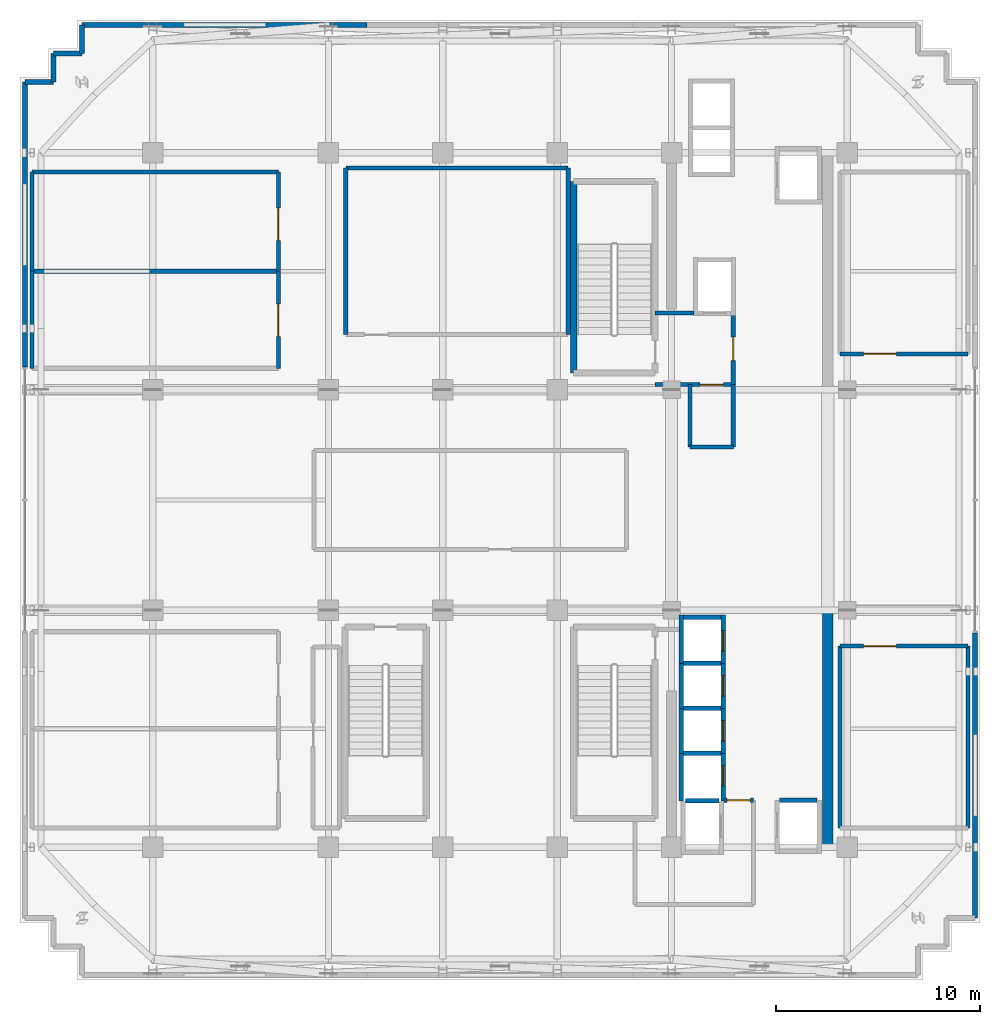
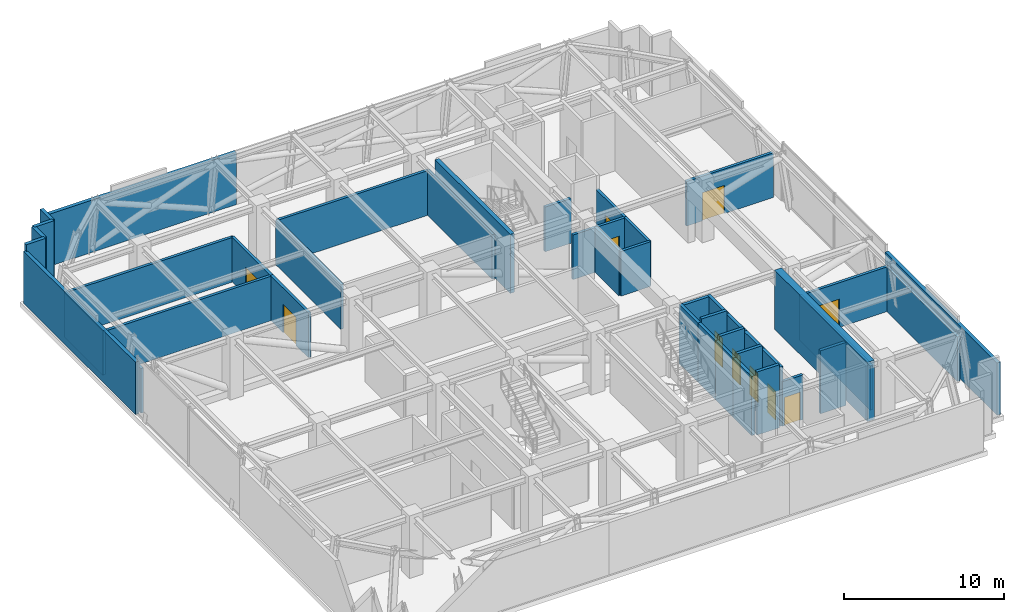
# One storey, part 10 of 15: 43 walls, 11 doors, 11 openings.
"""IFC4 building model written with IfcOpenShell, lengths in metres."""

import ifcopenshell
import ifcopenshell.guid

model = None  # the IFC model being written
_history = None  # IfcOwnerHistory: only IFC2X3 demands one
_inside = {}  # id of a spatial element -> (the spatial element, [elements in it])
_under = {}  # id of a project, library or spatial element -> (it, [spatial elements below it])
_declared = {}  # id of a project -> (the project, [libraries it declares])
_typed = {}  # id of a type object -> (the type object, [elements of that type])
_made_of = {}  # id of a material, layer set ... -> (it, [elements and type objects made of it])


def new_model(schema):
    """Start an empty IFC model of exactly this schema.

    Asked for "IFC4X3", IfcOpenShell would pick the latest addendum, in which some entities
    have other attributes; the version numbers below select the first issue.
    IFC2X3 requires an IfcOwnerHistory on every rooted entity: one is made here for all.
    """
    global model, _history
    if schema == "IFC4X3":
        model = ifcopenshell.file(schema_version=(4, 3, 0, 0))
    else:
        model = ifcopenshell.file(schema=schema)
    _inside.clear()
    _under.clear()
    _declared.clear()
    _typed.clear()
    _made_of.clear()
    _history = None
    if model.schema == "IFC2X3":
        org = make("IfcOrganization", Name="unknown")
        user = make(
            "IfcPersonAndOrganization",
            ThePerson=make("IfcPerson", FamilyName="unknown"),
            TheOrganization=org,
        )
        app = make(
            "IfcApplication",
            ApplicationDeveloper=org,
            Version="unknown",
            ApplicationFullName="unknown",
            ApplicationIdentifier="unknown",
        )
        _history = make(
            "IfcOwnerHistory",
            OwningUser=user,
            OwningApplication=app,
            ChangeAction="ADDED",
            CreationDate=0,
        )
    return model


def make(cls, **values):
    """One entity of the class cls with the attributes given. An attribute that is None is left unset."""
    return model.create_entity(
        cls, **{name: value for name, value in values.items() if value is not None}
    )


def rooted(cls, **values):
    """An entity with a GlobalId (a new one), such as an element, a storey or a relation."""
    return make(cls, GlobalId=ifcopenshell.guid.new(), OwnerHistory=_history, **values)


def si_unit(unit_type, name, prefix=None):
    """IfcSIUnit, for example si_unit("LENGTHUNIT", "METRE", prefix="MILLI")."""
    return make("IfcSIUnit", UnitType=unit_type, Prefix=prefix, Name=name)


def assignment(units):
    """IfcUnitAssignment: the units of a project."""
    return None if units is None else make("IfcUnitAssignment", Units=units)


def point(xyz):
    """IfcCartesianPoint."""
    return None if xyz is None else make("IfcCartesianPoint", Coordinates=xyz)


def direction(xyz):
    """IfcDirection."""
    return None if xyz is None else make("IfcDirection", DirectionRatios=xyz)


def frame(location, z_axis=None, x_axis=None):
    """IfcAxis2Placement3D, a coordinate frame: its origin and axes. An axis left out is left unset."""
    return make(
        "IfcAxis2Placement3D",
        Location=point(location),
        Axis=direction(z_axis),
        RefDirection=direction(x_axis),
    )


def frame_2d(location, x_axis=None):
    """IfcAxis2Placement2D, a coordinate frame in the plane: its origin and x axis."""
    return make(
        "IfcAxis2Placement2D", Location=point(location), RefDirection=direction(x_axis)
    )


def origin():
    """The frame at (0, 0, 0) with its axes left unset."""
    return frame((0.0, 0.0, 0.0))


def place(relative_to, where):
    """IfcLocalPlacement: puts the frame where relative to a parent placement (None: the world)."""
    return make(
        "IfcLocalPlacement", PlacementRelTo=relative_to, RelativePlacement=where
    )


def context(
    kind, dimensions, precision=None, world=None, true_north=None, identifier=None
):
    """IfcGeometricRepresentationContext, for example the 3D "Model" context."""
    return make(
        "IfcGeometricRepresentationContext",
        ContextIdentifier=identifier,
        ContextType=kind,
        CoordinateSpaceDimension=dimensions,
        Precision=precision,
        WorldCoordinateSystem=world,
        TrueNorth=true_north,
    )


def subcontext(parent, identifier, kind, view, scale=None):
    """IfcGeometricRepresentationSubContext, for example "Body" below "Model"."""
    return make(
        "IfcGeometricRepresentationSubContext",
        ContextIdentifier=identifier,
        ContextType=kind,
        ParentContext=parent,
        TargetScale=scale,
        TargetView=view,
    )


def project(units=None, contexts=None):
    """IfcProject with its units and contexts."""
    return rooted(
        "IfcProject",
        Name="project",
        RepresentationContexts=contexts,
        UnitsInContext=assignment(units),
    )


def spatial(cls, under=None, at=None, **own):
    """A site, building, storey or space (cls), placed at a placement, below another one or the project."""
    s = rooted(cls, ObjectPlacement=at, **own)
    if under is not None:
        _under.setdefault(under.id(), (under, []))[1].append(s)
    return s


def profile(cls, at=None, kind="AREA", **sizes):
    """A parametric profile (cls). Its sizes go by their IFC names, for example OverallWidth=200.0."""
    return make(cls, ProfileType=kind, Position=at, **sizes)


def rectangle(**sizes):
    """IfcRectangleProfileDef."""
    return profile("IfcRectangleProfileDef", **sizes)


def extrude(swept, where, along, depth):
    """IfcExtrudedAreaSolid: the profile swept, set in the frame where, extruded along a direction by depth."""
    return make(
        "IfcExtrudedAreaSolid",
        SweptArea=swept,
        Position=where,
        ExtrudedDirection=direction(along),
        Depth=depth,
    )


def shape(context_of_items, identifier, shape_type, items):
    """IfcShapeRepresentation: the items that make up one representation, for example the "Body"."""
    return make(
        "IfcShapeRepresentation",
        ContextOfItems=context_of_items,
        RepresentationIdentifier=identifier,
        RepresentationType=shape_type,
        Items=items,
    )


def source(mapping_origin, context_of_items, identifier, shape_type, items):
    """IfcRepresentationMap: a shape defined once, which mapped items show again and again."""
    return make(
        "IfcRepresentationMap",
        MappingOrigin=mapping_origin,
        MappedRepresentation=shape(context_of_items, identifier, shape_type, items),
    )


def transform(
    local_origin,
    x_axis=None,
    y_axis=None,
    z_axis=None,
    scale=None,
    scale2=None,
    scale3=None,
    uniform=True,
):
    """IfcCartesianTransformationOperator3D, or its non-uniform kind. x_axis, y_axis, z_axis: its Axis1, 2, 3."""
    if uniform:
        return make(
            "IfcCartesianTransformationOperator3D",
            Axis1=direction(x_axis),
            Axis2=direction(y_axis),
            LocalOrigin=point(local_origin),
            Scale=scale,
            Axis3=direction(z_axis),
        )
    return make(
        "IfcCartesianTransformationOperator3DnonUniform",
        Axis1=direction(x_axis),
        Axis2=direction(y_axis),
        LocalOrigin=point(local_origin),
        Scale=scale,
        Axis3=direction(z_axis),
        Scale2=scale2,
        Scale3=scale3,
    )


def mapped(mapping_source, mapping_target):
    """IfcMappedItem: shows the shape of a source again, moved by a transform."""
    return make(
        "IfcMappedItem", MappingSource=mapping_source, MappingTarget=mapping_target
    )


def material(Name=None, Category=None):
    """IfcMaterial."""
    return make("IfcMaterial", Name=Name, Category=Category)


def layer(
    of_material, thickness, ventilated=None, Name=None, Category=None, Priority=None
):
    """IfcMaterialLayer: one layer of a wall or slab, of a material (None: an air gap)."""
    return make(
        "IfcMaterialLayer",
        Material=of_material,
        LayerThickness=thickness,
        IsVentilated=ventilated,
        Name=Name,
        Category=Category,
        Priority=Priority,
    )


def layer_set(layers, Name=None):
    """IfcMaterialLayerSet."""
    return make("IfcMaterialLayerSet", MaterialLayers=layers, LayerSetName=Name)


def made_of(thing, what):
    """Note that an element or type object is made of a material, layer set ...; save() writes the relation."""
    if what is not None:
        _made_of.setdefault(what.id(), (what, []))[1].append(thing)
    return thing


def type_object(cls, material=None, **own):
    """A type object (cls), such as IfcWallType, which elements share."""
    return made_of(rooted(cls, **own), material)


def element(
    cls,
    number,
    at=None,
    inside=None,
    cuts=None,
    type_object=None,
    material=None,
    context=None,
    identifier="Body",
    shape_type=None,
    held_by="IfcProductDefinitionShape",
    body=None,
    shapes=None,
    **own,
):
    """One element of the class cls, such as IfcWall. Its Tag is "e" and its number.

    at: its placement. inside: the storey or other place that contains it. cuts: it is an
    opening in that element (IfcRelVoidsElement). A single representation is given by context,
    identifier, shape_type and body (its items); several are given by shapes. held_by: the class
    of the entity that holds the representations. save() writes the other relations.
    """
    e = rooted(cls, Tag="e%d" % number, ObjectPlacement=at, **own)
    if body is not None:
        shapes = [shape(context, identifier, shape_type, body)]
    if shapes is not None:
        e.Representation = make(held_by, Representations=shapes)
    if inside is not None:
        _inside.setdefault(inside.id(), (inside, []))[1].append(e)
    if cuts is not None:
        rooted(
            "IfcRelVoidsElement", RelatingBuildingElement=cuts, RelatedOpeningElement=e
        )
    if type_object is not None:
        _typed.setdefault(type_object.id(), (type_object, []))[1].append(e)
    return made_of(e, material)


def fill(opening, filler):
    """IfcRelFillsElement: the door or window that sits in an opening."""
    return rooted(
        "IfcRelFillsElement",
        RelatingOpeningElement=opening,
        RelatedBuildingElement=filler,
    )


def aggregate(whole, parts):
    """IfcRelAggregates: a whole, such as a stair, and the parts it consists of."""
    return rooted("IfcRelAggregates", RelatingObject=whole, RelatedObjects=parts)


def save(model, path):
    """Write the relations noted so far, then the file.

    IfcRelAggregates (storeys below a building ...), IfcRelContainedInSpatialStructure (elements
    in a storey), IfcRelDefinesByType, IfcRelAssociatesMaterial and IfcRelDeclares: one each for
    every whole, place, type object, material and project.
    """
    for whole, parts in _under.values():
        aggregate(whole, parts)
    for where, things in _inside.values():
        rooted(
            "IfcRelContainedInSpatialStructure",
            RelatedElements=things,
            RelatingStructure=where,
        )
    for kind, things in _typed.values():
        rooted("IfcRelDefinesByType", RelatedObjects=things, RelatingType=kind)
    for what, things in _made_of.values():
        rooted("IfcRelAssociatesMaterial", RelatedObjects=things, RelatingMaterial=what)
    for by, libraries in _declared.values():
        rooted("IfcRelDeclares", RelatingContext=by, RelatedDefinitions=libraries)
    model.write(path)


model = new_model("IFC4")

# Units and contexts
model_context = context("Model", 3, precision=1e-05, world=origin(), true_north=direction((0.0, 1.0)))
body_context = subcontext(model_context, "Body", "Model", "MODEL_VIEW")
ifc_project = project(units=[si_unit("LENGTHUNIT", "METRE"), si_unit("AREAUNIT", "SQUARE_METRE"), si_unit("VOLUMEUNIT", "CUBIC_METRE"), si_unit("PLANEANGLEUNIT", "RADIAN"), si_unit("MASSUNIT", "GRAM", prefix="KILO")], contexts=[model_context])

# Site, building, storey
site_placement = place(None, origin())
site = spatial("IfcSite", under=ifc_project, at=site_placement, CompositionType="ELEMENT")
building_placement = place(site_placement, origin())
building = spatial("IfcBuilding", under=site, at=building_placement, Name="Nahalor Promenade Grand Hotel", CompositionType="ELEMENT")
storey_placement = place(building_placement, frame((0.0, 0.0, 261.5)))
storey = spatial("IfcBuildingStorey", under=building, at=storey_placement, Name="L67", CompositionType="ELEMENT", Elevation=261.5)

# Walls
ifc_material_1 = material(Name="Concrete B-60 (C50/60)", Category="concrete")
ifc_layer_1 = layer(ifc_material_1, 0.5)
ifc_layer_set_1 = layer_set([ifc_layer_1], Name="Concrete B-60 (C50/60)")
wall_type_1 = type_object("IfcWallType", Name="Wall-CoreShear-500", PredefinedType="SHEAR", material=ifc_layer_set_1)
shared_shape_1 = source(origin(), body_context, "Body", "SweptSolid", [
    extrude(rectangle(XDim=11.60009765625, YDim=0.5, at=frame_2d((5.800048828125, 0.0))), origin(), (0.0, 0.0, 1.0), 4.5),
])
wall_1_placement = place(storey_placement, frame((16.050048828125, -17.0, 0.0), z_axis=(0.0, 0.0, 1.0), x_axis=(0.0, 1.0, 0.0)))
element("IfcWall", 1, at=wall_1_placement, inside=storey, type_object=wall_type_1, Name="CWALL-L67-SE", PredefinedType="SHEAR", context=body_context, shape_type="MappedRepresentation", body=[
    mapped(shared_shape_1, transform((0.0, 0.0, 0.0), scale=1.0)),
])
ifc_material_2 = material(Name="Concrete B-50 (C40/50)", Category="concrete")
ifc_layer_2 = layer(ifc_material_2, 0.300048828125)
ifc_layer_set_2 = layer_set([ifc_layer_2], Name="Concrete B-50 (C40/50)")
wall_type_2 = type_object("IfcWallType", Name="Wall-ShaftShear-300", PredefinedType="SHEAR", material=ifc_layer_set_2)
shared_shape_2 = source(origin(), body_context, "Body", "SweptSolid", [
    extrude(rectangle(XDim=9.380126953125, YDim=0.300048828125, at=frame_2d((4.68994140625, 0.0))), origin(), (0.0, 0.0, 1.0), 4.5),
])
wall_2_placement = place(storey_placement, frame((3.610107421875, 6.2099609375, 0.0), z_axis=(0.0, 0.0, 1.0), x_axis=(0.0, 1.0, 0.0)))
element("IfcWall", 2, at=wall_2_placement, inside=storey, type_object=wall_type_2, Name="L67 Exit Stair ST1 Shaft Wall W", PredefinedType="SHEAR", context=body_context, shape_type="MappedRepresentation", body=[
    mapped(shared_shape_2, transform((0.0, 0.0, 0.0), scale=1.0)),
])
ifc_layer_3 = layer(ifc_material_2, 0.219970703125)
ifc_layer_set_3 = layer_set([ifc_layer_3], Name="Concrete B-50 (C40/50)")
wall_type_3 = type_object("IfcWallType", Name="Wall-LiftShaft-220", PredefinedType="SHEAR", material=ifc_layer_set_3)
shared_shape_3 = source(origin(), body_context, "Body", "SweptSolid", [
    extrude(rectangle(XDim=1.820068359375, YDim=0.219970703125, at=frame_2d((0.91015625, 0.0))), origin(), (0.0, 0.0, 1.0), 4.800048828125),
])
for number, where, z_axis, x_axis, name in (
    (3, (8.989990234375, -8.0, 0.0), (0.0, 0.0, 1.0), (1.0, 0.0, 0.0), "L67 Lift PL10 Hoistway Wall N"),
    (4, (8.989990234375, -10.199951171875, 0.0), (0.0, 0.0, 1.0), (1.0, 0.0, 0.0), "L67 Lift PL11 Hoistway Wall N"),
    (5, (8.989990234375, -12.39990234375, 0.0), (0.0, 0.0, 1.0), (1.0, 0.0, 0.0), "L67 Lift PL12 Hoistway Wall N"),
    (6, (13.68994140625, -14.699951171875, 0.0), (0.0, 0.0, 1.0), (1.0, 0.0, 0.0), "L67 Lift SV2 Hoistway Wall N"),
):
    element("IfcWall", number, at=place(storey_placement, frame(where, z_axis=z_axis, x_axis=x_axis)), inside=storey, type_object=wall_type_3, Name=name, PredefinedType="SHEAR", context=body_context, shape_type="MappedRepresentation", body=[
        mapped(shared_shape_3, transform((0.0, 0.0, 0.0), scale=1.0)),
    ])
shared_shape_4 = source(origin(), body_context, "Body", "SweptSolid", [
    extrude(rectangle(XDim=2.360107421875, YDim=0.219970703125, at=frame_2d((1.18017578125, 0.0))), origin(), (0.0, 0.0, 1.0), 4.5),
])
wall_3_placement = place(storey_placement, frame((8.8798828125, -8.0, 0.0), z_axis=(0.0, 0.0, 1.0), x_axis=(0.0, 1.0, 0.0)))
element("IfcWall", 7, at=wall_3_placement, inside=storey, type_object=wall_type_3, Name="L67 Lift PL9 Hoistway Wall W", PredefinedType="SHEAR", context=body_context, shape_type="MappedRepresentation", body=[
    mapped(shared_shape_4, transform((0.0, 0.0, 0.0), scale=1.0)),
])

# Wall, opening, door
wall_4_placement = place(storey_placement, frame((10.919921875, -8.0, 0.0), z_axis=(0.0, 0.0, 1.0), x_axis=(0.0, 1.0, 0.0)))
wall_4 = element("IfcWall", 8, at=wall_4_placement, inside=storey, type_object=wall_type_3, Name="L67 Lift PL9 Hoistway Wall E", PredefinedType="SHEAR", context=body_context, shape_type="MappedRepresentation", body=[
    mapped(shared_shape_4, transform((0.0, 0.0, 0.0), scale=1.0)),
])
opening_1_placement = place(wall_4_placement, frame((0.60009765625, 0.0, 0.0)))
opening_1 = element("IfcOpeningElement", 9, at=opening_1_placement, cuts=wall_4, Name="Opening LD-01", PredefinedType="OPENING", context=body_context, shape_type="SweptSolid", body=[
    extrude(rectangle(XDim=1.0, YDim=2.199951171875, at=frame_2d((0.5, 1.10009765625))), frame((0.0, 0.119873046875, 0.0), z_axis=(0.0, -1.0, 0.0), x_axis=(1.0, 0.0, 0.0)), (0.0, 0.0, 1.0), 0.239990234375),
])
ifc_material_3 = material(Name="Steel S355JR", Category="steel")
door_type_1 = type_object("IfcDoorType", Name="Door-LiftLanding-1000", OperationType="DOUBLE_DOOR_SLIDING", PredefinedType="DOOR", material=ifc_material_3)
shared_shape_5 = source(origin(), body_context, "Body", "SweptSolid", [
    extrude(rectangle(XDim=1.0, YDim=2.199951171875, at=frame_2d((0.5, 1.10009765625))), frame((0.0, 0.02490234375, 0.0), z_axis=(0.0, -1.0, 0.0), x_axis=(1.0, 0.0, 0.0)), (0.0, 0.0, 1.0), 0.050048828125),
])
door_1_placement = place(opening_1_placement, frame((1.0, 0.0, 0.0), z_axis=(0.0, 0.0, 1.0), x_axis=(-1.0, 0.0, 0.0)))
door_1 = element("IfcDoor", 10, at=door_1_placement, inside=storey, type_object=door_type_1, Name="DR-LIFT-PL9-L67", OperationType="DOUBLE_DOOR_SLIDING", OverallHeight=2.199951171875, OverallWidth=1.0, PredefinedType="DOOR", context=body_context, shape_type="MappedRepresentation", body=[
    mapped(shared_shape_5, transform((0.0, 0.0, 0.0), scale=1.0)),
])
fill(opening_1, door_1)

# Walls
shared_shape_6 = source(origin(), body_context, "Body", "SweptSolid", [
    extrude(rectangle(XDim=1.820068359375, YDim=0.219970703125, at=frame_2d((0.91015625, 0.0))), origin(), (0.0, 0.0, 1.0), 4.5),
])
wall_5_placement = place(storey_placement, frame((8.989990234375, -5.75, 0.0), z_axis=(0.0, 0.0, 1.0), x_axis=(1.0, 0.0, 0.0)))
element("IfcWall", 11, at=wall_5_placement, inside=storey, type_object=wall_type_3, Name="L67 Lift PL9 Hoistway Wall N", PredefinedType="SHEAR", context=body_context, shape_type="MappedRepresentation", body=[
    mapped(shared_shape_6, transform((0.0, 0.0, 0.0), scale=1.0)),
])
shared_shape_7 = source(origin(), body_context, "Body", "SweptSolid", [
    extrude(rectangle(XDim=2.199951171875, YDim=0.219970703125, at=frame_2d((1.10009765625, 0.0))), origin(), (0.0, 0.0, 1.0), 4.5),
])
wall_6_placement = place(storey_placement, frame((8.8798828125, -10.199951171875, 0.0), z_axis=(0.0, 0.0, 1.0), x_axis=(0.0, 1.0, 0.0)))
element("IfcWall", 12, at=wall_6_placement, inside=storey, type_object=wall_type_3, Name="L67 Lift PL10 Hoistway Wall W", PredefinedType="SHEAR", context=body_context, shape_type="MappedRepresentation", body=[
    mapped(shared_shape_7, transform((0.0, 0.0, 0.0), scale=1.0)),
])

# Wall, opening, door
wall_7_placement = place(storey_placement, frame((10.919921875, -10.199951171875, 0.0), z_axis=(0.0, 0.0, 1.0), x_axis=(0.0, 1.0, 0.0)))
wall_7 = element("IfcWall", 13, at=wall_7_placement, inside=storey, type_object=wall_type_3, Name="L67 Lift PL10 Hoistway Wall E", PredefinedType="SHEAR", context=body_context, shape_type="MappedRepresentation", body=[
    mapped(shared_shape_7, transform((0.0, 0.0, 0.0), scale=1.0)),
])
opening_2_placement = place(wall_7_placement, frame((0.60009765625, 0.0, 0.0)))
opening_2 = element("IfcOpeningElement", 14, at=opening_2_placement, cuts=wall_7, Name="Opening LD-01", PredefinedType="OPENING", context=body_context, shape_type="SweptSolid", body=[
    extrude(rectangle(XDim=1.0, YDim=2.199951171875, at=frame_2d((0.5, 1.10009765625))), frame((0.0, 0.119873046875, 0.0), z_axis=(0.0, -1.0, 0.0), x_axis=(1.0, 0.0, 0.0)), (0.0, 0.0, 1.0), 0.239990234375),
])
door_2_placement = place(opening_2_placement, frame((1.0, 0.0, 0.0), z_axis=(0.0, 0.0, 1.0), x_axis=(-1.0, 0.0, 0.0)))
door_2 = element("IfcDoor", 15, at=door_2_placement, inside=storey, type_object=door_type_1, Name="DR-LIFT-PL10-L67", OperationType="DOUBLE_DOOR_SLIDING", OverallHeight=2.199951171875, OverallWidth=1.0, PredefinedType="DOOR", context=body_context, shape_type="MappedRepresentation", body=[
    mapped(shared_shape_5, transform((0.0, 0.0, 0.0), scale=1.0)),
])
fill(opening_2, door_2)

# Wall
wall_8_placement = place(storey_placement, frame((8.8798828125, -12.39990234375, 0.0), z_axis=(0.0, 0.0, 1.0), x_axis=(0.0, 1.0, 0.0)))
element("IfcWall", 16, at=wall_8_placement, inside=storey, type_object=wall_type_3, Name="L67 Lift PL11 Hoistway Wall W", PredefinedType="SHEAR", context=body_context, shape_type="MappedRepresentation", body=[
    mapped(shared_shape_7, transform((0.0, 0.0, 0.0), scale=1.0)),
])

# Wall, opening, door
wall_9_placement = place(storey_placement, frame((10.919921875, -12.39990234375, 0.0), z_axis=(0.0, 0.0, 1.0), x_axis=(0.0, 1.0, 0.0)))
wall_9 = element("IfcWall", 17, at=wall_9_placement, inside=storey, type_object=wall_type_3, Name="L67 Lift PL11 Hoistway Wall E", PredefinedType="SHEAR", context=body_context, shape_type="MappedRepresentation", body=[
    mapped(shared_shape_7, transform((0.0, 0.0, 0.0), scale=1.0)),
])
opening_3_placement = place(wall_9_placement, frame((0.60009765625, 0.0, 0.0)))
opening_3 = element("IfcOpeningElement", 18, at=opening_3_placement, cuts=wall_9, Name="Opening LD-01", PredefinedType="OPENING", context=body_context, shape_type="SweptSolid", body=[
    extrude(rectangle(XDim=1.0, YDim=2.199951171875, at=frame_2d((0.5, 1.10009765625))), frame((0.0, 0.119873046875, 0.0), z_axis=(0.0, -1.0, 0.0), x_axis=(1.0, 0.0, 0.0)), (0.0, 0.0, 1.0), 0.239990234375),
])
door_3_placement = place(opening_3_placement, frame((1.0, 0.0, 0.0), z_axis=(0.0, 0.0, 1.0), x_axis=(-1.0, 0.0, 0.0)))
door_3 = element("IfcDoor", 19, at=door_3_placement, inside=storey, type_object=door_type_1, Name="DR-LIFT-PL11-L67", OperationType="DOUBLE_DOOR_SLIDING", OverallHeight=2.199951171875, OverallWidth=1.0, PredefinedType="DOOR", context=body_context, shape_type="MappedRepresentation", body=[
    mapped(shared_shape_5, transform((0.0, 0.0, 0.0), scale=1.0)),
])
fill(opening_3, door_3)

# Wall
shared_shape_8 = source(origin(), body_context, "Body", "SweptSolid", [
    extrude(rectangle(XDim=2.3251953125, YDim=0.219970703125, at=frame_2d((1.16259765625, 0.0))), origin(), (0.0, 0.0, 1.0), 4.5),
])
wall_10_placement = place(storey_placement, frame((8.8798828125, -14.72509765625, 0.0), z_axis=(0.0, 0.0, 1.0), x_axis=(0.0, 1.0, 0.0)))
element("IfcWall", 20, at=wall_10_placement, inside=storey, type_object=wall_type_3, Name="L67 Lift PL12 Hoistway Wall W", PredefinedType="SHEAR", context=body_context, shape_type="MappedRepresentation", body=[
    mapped(shared_shape_8, transform((0.0, 0.0, 0.0), scale=1.0)),
])

# Wall, opening, door
wall_11_placement = place(storey_placement, frame((10.919921875, -14.72509765625, 0.0), z_axis=(0.0, 0.0, 1.0), x_axis=(0.0, 1.0, 0.0)))
wall_11 = element("IfcWall", 21, at=wall_11_placement, inside=storey, type_object=wall_type_3, Name="L67 Lift PL12 Hoistway Wall E", PredefinedType="SHEAR", context=body_context, shape_type="MappedRepresentation", body=[
    mapped(shared_shape_8, transform((0.0, 0.0, 0.0), scale=1.0)),
])
opening_4_placement = place(wall_11_placement, frame((0.72509765625, 0.0, 0.0)))
opening_4 = element("IfcOpeningElement", 22, at=opening_4_placement, cuts=wall_11, Name="Opening LD-01", PredefinedType="OPENING", context=body_context, shape_type="SweptSolid", body=[
    extrude(rectangle(XDim=1.0, YDim=2.199951171875, at=frame_2d((0.5, 1.10009765625))), frame((0.0, 0.119873046875, 0.0), z_axis=(0.0, -1.0, 0.0), x_axis=(1.0, 0.0, 0.0)), (0.0, 0.0, 1.0), 0.239990234375),
])
door_4_placement = place(opening_4_placement, frame((1.0, 0.0, 0.0), z_axis=(0.0, 0.0, 1.0), x_axis=(-1.0, 0.0, 0.0)))
door_4 = element("IfcDoor", 23, at=door_4_placement, inside=storey, type_object=door_type_1, Name="DR-LIFT-PL12-L67", OperationType="DOUBLE_DOOR_SLIDING", OverallHeight=2.199951171875, OverallWidth=1.0, PredefinedType="DOOR", context=body_context, shape_type="MappedRepresentation", body=[
    mapped(shared_shape_5, transform((0.0, 0.0, 0.0), scale=1.0)),
])
fill(opening_4, door_4)

# Walls
shared_shape_9 = source(origin(), body_context, "Body", "SweptSolid", [
    extrude(rectangle(XDim=1.619873046875, YDim=0.219970703125, at=frame_2d((0.81005859375, 0.0))), origin(), (0.0, 0.0, 1.0), 4.800048828125),
])
wall_12_placement = place(storey_placement, frame((9.090087890625, -14.72509765625, 0.0), z_axis=(0.0, 0.0, 1.0), x_axis=(1.0, 0.0, 0.0)))
element("IfcWall", 24, at=wall_12_placement, inside=storey, type_object=wall_type_3, Name="L67 Lift FL2 Hoistway Wall N", PredefinedType="SHEAR", context=body_context, shape_type="MappedRepresentation", body=[
    mapped(shared_shape_9, transform((0.0, 0.0, 0.0), scale=1.0)),
])
ifc_material_4 = material(Name="Concrete B-40 (C32/40)", Category="concrete")
ifc_layer_4 = layer(ifc_material_4, 0.25)
ifc_layer_set_4 = layer_set([ifc_layer_4], Name="Concrete B-40 (C32/40)")
wall_type_4 = type_object("IfcWallType", Name="Wall-BronzePier-250", PredefinedType="STANDARD", material=ifc_layer_set_4)
shared_shape_10 = source(origin(), body_context, "Body", "SweptSolid", [
    extrude(rectangle(XDim=1.39990234375, YDim=0.25, at=frame_2d((0.699951171875, 0.0))), origin(), (0.0, 0.0, 1.0), 4.5),
])
for number, where, z_axis, x_axis, name in (
    (25, (-20.4599609375, 21.860107421875, 0.0), (0.0, 0.0, 1.0), (0.0, 1.0, 0.0), "W-L67-SR-09"),
    (26, (-23.260009765625, 20.4599609375, 0.0), (0.0, 0.0, 1.0), (1.0, 0.0, 0.0), "W-L67-SR-12"),
):
    element("IfcWall", number, at=place(storey_placement, frame(where, z_axis=z_axis, x_axis=x_axis)), inside=storey, type_object=wall_type_4, Name=name, PredefinedType="STANDARD", context=body_context, shape_type="MappedRepresentation", body=[
        mapped(shared_shape_10, transform((0.0, 0.0, 0.0), scale=1.0)),
    ])
shared_shape_11 = source(origin(), body_context, "Body", "SweptSolid", [
    extrude(rectangle(XDim=1.400146484375, YDim=0.25, at=frame_2d((0.7001953125, 0.0))), origin(), (0.0, 0.0, 1.0), 4.5),
])
for number, where, z_axis, x_axis, name in (
    (27, (-21.860107421875, 21.860107421875, 0.0), (0.0, 0.0, 1.0), (1.0, 0.0, 0.0), "W-L67-SR-10"),
    (28, (-21.860107421875, 20.4599609375, 0.0), (0.0, 0.0, 1.0), (0.0, 1.0, 0.0), "W-L67-SR-11"),
):
    element("IfcWall", number, at=place(storey_placement, frame(where, z_axis=z_axis, x_axis=x_axis)), inside=storey, type_object=wall_type_4, Name=name, PredefinedType="STANDARD", context=body_context, shape_type="MappedRepresentation", body=[
        mapped(shared_shape_11, transform((0.0, 0.0, 0.0), scale=1.0)),
    ])
shared_shape_12 = source(origin(), body_context, "Body", "SweptSolid", [
    extrude(rectangle(XDim=13.9599609375, YDim=0.25, at=frame_2d((6.97998046875, 0.0))), origin(), (0.0, 0.0, 1.0), 3.97998046875),
])
for number, where, z_axis, x_axis, name in (
    (29, (-20.4599609375, 23.260009765625, 0.0), (0.0, 0.0, 1.0), (1.0, 0.0, 0.0), "W-L67-PL-NL"),
    (30, (-23.260009765625, 6.5, 0.0), (0.0, 0.0, 1.0), (0.0, 1.0, 0.0), "W-L67-PL-WR"),
    (31, (23.260009765625, -20.4599609375, 0.0), (0.0, 0.0, 1.0), (0.0, 1.0, 0.0), "W-L67-PL-EL"),
):
    element("IfcWall", number, at=place(storey_placement, frame(where, z_axis=z_axis, x_axis=x_axis)), inside=storey, type_object=wall_type_4, Name=name, PredefinedType="STANDARD", context=body_context, shape_type="MappedRepresentation", body=[
        mapped(shared_shape_12, transform((0.0, 0.0, 0.0), scale=1.0)),
    ])

# Wall, opening, door
ifc_layer_5 = layer(ifc_material_4, 0.199951171875)
ifc_layer_set_5 = layer_set([ifc_layer_5], Name="Concrete B-40 (C32/40)")
wall_type_5 = type_object("IfcWallType", Name="Wall-PartFire-200", PredefinedType="PARTITIONING", material=ifc_layer_set_5)
shared_shape_13 = source(origin(), body_context, "Body", "SweptSolid", [
    extrude(rectangle(XDim=3.81982421875, YDim=0.199951171875, at=frame_2d((1.909912109375, 0.0))), origin(), (0.0, 0.0, 1.0), 3.39990234375),
])
wall_13_placement = place(storey_placement, frame((7.60009765625, 5.64990234375, 0.0), z_axis=(0.0, 0.0, 1.0), x_axis=(1.0, 0.0, 0.0)))
wall_13 = element("IfcWall", 32, at=wall_13_placement, inside=storey, type_object=wall_type_5, Name="W-L67-FF1-S", PredefinedType="PARTITIONING", context=body_context, shape_type="MappedRepresentation", body=[
    mapped(shared_shape_13, transform((0.0, 0.0, 0.0), scale=1.0)),
])
opening_5_placement = place(wall_13_placement, frame((2.18505859375, 0.0, 0.0)))
opening_5 = element("IfcOpeningElement", 33, at=opening_5_placement, cuts=wall_13, Name="Opening D-FF1", PredefinedType="OPENING", context=body_context, shape_type="SweptSolid", body=[
    extrude(rectangle(XDim=1.14990234375, YDim=2.14990234375, at=frame_2d((0.574951171875, 1.074951171875))), frame((0.0, 0.10986328125, 0.0), z_axis=(0.0, -1.0, 0.0), x_axis=(1.0, 0.0, 0.0)), (0.0, 0.0, 1.0), 0.219970703125),
])
door_type_2 = type_object("IfcDoorType", Name="Door-FFLobby-1150", OperationType="NOTDEFINED", PredefinedType="DOOR", material=ifc_material_3)
shared_shape_14 = source(origin(), body_context, "Body", "SweptSolid", [
    extrude(rectangle(XDim=1.14990234375, YDim=2.14990234375, at=frame_2d((0.574951171875, 1.074951171875))), frame((0.0, 0.02490234375, 0.0), z_axis=(0.0, -1.0, 0.0), x_axis=(1.0, 0.0, 0.0)), (0.0, 0.0, 1.0), 0.050048828125),
])
door_5_placement = place(opening_5_placement, frame((1.14990234375, 0.0, 0.0), z_axis=(0.0, 0.0, 1.0), x_axis=(-1.0, 0.0, 0.0)))
door_5 = element("IfcDoor", 34, at=door_5_placement, inside=storey, type_object=door_type_2, Name="DR-L67-REF-FF1", OperationType="SINGLE_SWING_RIGHT", OverallHeight=2.14990234375, OverallWidth=1.14990234375, PredefinedType="DOOR", context=body_context, shape_type="MappedRepresentation", body=[
    mapped(shared_shape_14, transform((0.0, 0.0, 0.0), scale=1.0)),
])
fill(opening_5, door_5)

# Wall
shared_shape_15 = source(origin(), body_context, "Body", "SweptSolid", [
    extrude(rectangle(XDim=1.89990234375, YDim=0.199951171875, at=frame_2d((0.949951171875, 0.0))), origin(), (0.0, 0.0, 1.0), 3.39990234375),
])
wall_14_placement = place(storey_placement, frame((7.60009765625, 9.14990234375, 0.0), z_axis=(0.0, 0.0, 1.0), x_axis=(1.0, 0.0, 0.0)))
element("IfcWall", 35, at=wall_14_placement, inside=storey, type_object=wall_type_5, Name="W-L67-FF1-N", PredefinedType="PARTITIONING", context=body_context, shape_type="MappedRepresentation", body=[
    mapped(shared_shape_15, transform((0.0, 0.0, 0.0), scale=1.0)),
])

# Wall, opening, door
shared_shape_16 = source(origin(), body_context, "Body", "SweptSolid", [
    extrude(rectangle(XDim=3.5, YDim=0.199951171875, at=frame_2d((1.75, 0.0))), origin(), (0.0, 0.0, 1.0), 3.39990234375),
])
wall_15_placement = place(storey_placement, frame((11.419921875, 5.64990234375, 0.0), z_axis=(0.0, 0.0, 1.0), x_axis=(0.0, 1.0, 0.0)))
wall_15 = element("IfcWall", 36, at=wall_15_placement, inside=storey, type_object=wall_type_5, Name="W-L67-FF1-E", PredefinedType="PARTITIONING", context=body_context, shape_type="MappedRepresentation", body=[
    mapped(shared_shape_16, transform((0.0, 0.0, 0.0), scale=1.0)),
])
opening_6_placement = place(wall_15_placement, frame((1.175048828125, 0.0, 0.0)))
opening_6 = element("IfcOpeningElement", 37, at=opening_6_placement, cuts=wall_15, Name="Opening D-FF1", PredefinedType="OPENING", context=body_context, shape_type="SweptSolid", body=[
    extrude(rectangle(XDim=1.14990234375, YDim=2.14990234375, at=frame_2d((0.574951171875, 1.074951171875))), frame((0.0, 0.10986328125, 0.0), z_axis=(0.0, -1.0, 0.0), x_axis=(1.0, 0.0, 0.0)), (0.0, 0.0, 1.0), 0.219970703125),
])
door_6_placement = place(opening_6_placement, frame((1.14990234375, 0.0, 0.0), z_axis=(0.0, 0.0, 1.0), x_axis=(-1.0, 0.0, 0.0)))
door_6 = element("IfcDoor", 38, at=door_6_placement, inside=storey, type_object=door_type_2, Name="DR-L67-FFL1", OperationType="SINGLE_SWING_RIGHT", OverallHeight=2.14990234375, OverallWidth=1.14990234375, PredefinedType="DOOR", context=body_context, shape_type="MappedRepresentation", body=[
    mapped(shared_shape_14, transform((0.0, 0.0, 0.0), scale=1.0)),
])
fill(opening_6, door_6)

shared_shape_17 = source(origin(), body_context, "Body", "SweptSolid", [
    extrude(rectangle(XDim=1.4599609375, YDim=0.199951171875, at=frame_2d((0.72998046875, 0.0))), origin(), (0.0, 0.0, 1.0), 3.39990234375),
])
wall_16_placement = place(storey_placement, frame((10.9599609375, -14.699951171875, 0.0), z_axis=(0.0, 0.0, 1.0), x_axis=(1.0, 0.0, 0.0)))
wall_16 = element("IfcWall", 39, at=wall_16_placement, inside=storey, type_object=wall_type_5, Name="W-L67-FF2-N1", PredefinedType="PARTITIONING", context=body_context, shape_type="MappedRepresentation", body=[
    mapped(shared_shape_17, transform((0.0, 0.0, 0.0), scale=1.0)),
])
opening_7_placement = place(wall_16_placement, frame((0.14501953125, 0.0, 0.0)))
opening_7 = element("IfcOpeningElement", 40, at=opening_7_placement, cuts=wall_16, Name="Opening D-FF1", PredefinedType="OPENING", context=body_context, shape_type="SweptSolid", body=[
    extrude(rectangle(XDim=1.14990234375, YDim=2.14990234375, at=frame_2d((0.574951171875, 1.074951171875))), frame((0.0, 0.10986328125, 0.0), z_axis=(0.0, -1.0, 0.0), x_axis=(1.0, 0.0, 0.0)), (0.0, 0.0, 1.0), 0.219970703125),
])
door_7_placement = place(opening_7_placement, origin())
door_7 = element("IfcDoor", 41, at=door_7_placement, inside=storey, type_object=door_type_2, Name="DR-L67-FFL2", OperationType="SINGLE_SWING_LEFT", OverallHeight=2.14990234375, OverallWidth=1.14990234375, PredefinedType="DOOR", context=body_context, shape_type="MappedRepresentation", body=[
    mapped(shared_shape_14, transform((0.0, 0.0, 0.0), scale=1.0)),
])
fill(opening_7, door_7)

# Walls
shared_shape_18 = source(origin(), body_context, "Body", "SweptSolid", [
    extrude(rectangle(XDim=2.119873046875, YDim=0.199951171875, at=frame_2d((1.06005859375, 0.0))), origin(), (0.0, 0.0, 1.0), 3.39990234375),
])
wall_17_placement = place(storey_placement, frame((9.300048828125, 2.60009765625, 0.0), z_axis=(0.0, 0.0, 1.0), x_axis=(1.0, 0.0, 0.0)))
element("IfcWall", 42, at=wall_17_placement, inside=storey, type_object=wall_type_5, Name="W-L67-REF-S", PredefinedType="PARTITIONING", context=body_context, shape_type="MappedRepresentation", body=[
    mapped(shared_shape_18, transform((0.0, 0.0, 0.0), scale=1.0)),
])
shared_shape_19 = source(origin(), body_context, "Body", "SweptSolid", [
    extrude(rectangle(XDim=3.0498046875, YDim=0.199951171875, at=frame_2d((1.52490234375, 0.0))), origin(), (0.0, 0.0, 1.0), 3.39990234375),
])
for number, where, z_axis, x_axis, name in (
    (43, (9.300048828125, 2.60009765625, 0.0), (0.0, 0.0, 1.0), (0.0, 1.0, 0.0), "W-L67-REF-W"),
    (44, (11.419921875, 2.60009765625, 0.0), (0.0, 0.0, 1.0), (0.0, 1.0, 0.0), "W-L67-REF-E"),
):
    element("IfcWall", number, at=place(storey_placement, frame(where, z_axis=z_axis, x_axis=x_axis)), inside=storey, type_object=wall_type_5, Name=name, PredefinedType="PARTITIONING", context=body_context, shape_type="MappedRepresentation", body=[
        mapped(shared_shape_19, transform((0.0, 0.0, 0.0), scale=1.0)),
    ])
shared_shape_20 = source(origin(), body_context, "Body", "SweptSolid", [
    extrude(rectangle(XDim=10.89013671875, YDim=0.199951171875, at=frame_2d((5.445068359375, 0.0))), origin(), (0.0, 0.0, 1.0), 3.39990234375),
])
wall_18_placement = place(storey_placement, frame((-7.550048828125, 16.25, 0.0), z_axis=(0.0, 0.0, 1.0), x_axis=(1.0, 0.0, 0.0)))
element("IfcWall", 45, at=wall_18_placement, inside=storey, type_object=wall_type_5, Name="W-L67-REF2-N", PredefinedType="PARTITIONING", context=body_context, shape_type="MappedRepresentation", body=[
    mapped(shared_shape_20, transform((0.0, 0.0, 0.0), scale=1.0)),
])
shared_shape_21 = source(origin(), body_context, "Body", "SweptSolid", [
    extrude(rectangle(XDim=8.14990234375, YDim=0.199951171875, at=frame_2d((4.074951171875, 0.0))), origin(), (0.0, 0.0, 1.0), 3.39990234375),
])
for number, where, z_axis, x_axis, name in (
    (46, (-7.550048828125, 8.10009765625, 0.0), (0.0, 0.0, 1.0), (0.0, 1.0, 0.0), "W-L67-REF2-W"),
    (47, (3.340087890625, 8.10009765625, 0.0), (0.0, 0.0, 1.0), (0.0, 1.0, 0.0), "W-L67-REF2-E"),
):
    element("IfcWall", number, at=place(storey_placement, frame(where, z_axis=z_axis, x_axis=x_axis)), inside=storey, type_object=wall_type_5, Name=name, PredefinedType="PARTITIONING", context=body_context, shape_type="MappedRepresentation", body=[
        mapped(shared_shape_21, transform((0.0, 0.0, 0.0), scale=1.0)),
    ])
shared_shape_22 = source(origin(), body_context, "Body", "SweptSolid", [
    extrude(rectangle(XDim=8.900146484375, YDim=0.199951171875, at=frame_2d((4.4501953125, 0.0))), origin(), (0.0, 0.0, 1.0), 3.39990234375),
])
for number, where, z_axis, x_axis, name in (
    (48, (16.64990234375, -16.050048828125, 0.0), (0.0, 0.0, 1.0), (0.0, 1.0, 0.0), "W-L67-MP6-W"),
    (49, (22.919921875, -16.050048828125, 0.0), (0.0, 0.0, 1.0), (0.0, 1.0, 0.0), "W-L67-MP6-E"),
):
    element("IfcWall", number, at=place(storey_placement, frame(where, z_axis=z_axis, x_axis=x_axis)), inside=storey, type_object=wall_type_5, Name=name, PredefinedType="PARTITIONING", context=body_context, shape_type="MappedRepresentation", body=[
        mapped(shared_shape_22, transform((0.0, 0.0, 0.0), scale=1.0)),
    ])
shared_shape_23 = source(origin(), body_context, "Body", "SweptSolid", [
    extrude(rectangle(XDim=4.75, YDim=0.199951171875, at=frame_2d((2.375, 0.0))), origin(), (0.0, 0.0, 1.0), 3.39990234375),
])
wall_19_placement = place(storey_placement, frame((-22.919921875, 6.449951171875, 0.0), z_axis=(0.0, 0.0, 1.0), x_axis=(0.0, 1.0, 0.0)))
element("IfcWall", 50, at=wall_19_placement, inside=storey, type_object=wall_type_5, Name="W-L67-MP1-W", PredefinedType="PARTITIONING", context=body_context, shape_type="MappedRepresentation", body=[
    mapped(shared_shape_23, transform((0.0, 0.0, 0.0), scale=1.0)),
])

# Wall, opening, door
wall_20_placement = place(storey_placement, frame((-10.85009765625, 6.449951171875, 0.0), z_axis=(0.0, 0.0, 1.0), x_axis=(0.0, 1.0, 0.0)))
wall_20 = element("IfcWall", 51, at=wall_20_placement, inside=storey, type_object=wall_type_5, Name="W-L67-MP1-E", PredefinedType="PARTITIONING", context=body_context, shape_type="MappedRepresentation", body=[
    mapped(shared_shape_23, transform((0.0, 0.0, 0.0), scale=1.0)),
])
opening_8_placement = place(wall_20_placement, frame((1.550048828125, 0.0, 0.0)))
opening_8 = element("IfcOpeningElement", 52, at=opening_8_placement, cuts=wall_20, Name="Opening D-06", PredefinedType="OPENING", context=body_context, shape_type="SweptSolid", body=[
    extrude(rectangle(XDim=1.60009765625, YDim=2.14990234375, at=frame_2d((0.800048828125, 1.074951171875))), frame((0.0, 0.10986328125, 0.0), z_axis=(0.0, -1.0, 0.0), x_axis=(1.0, 0.0, 0.0)), (0.0, 0.0, 1.0), 0.219970703125),
])
door_type_3 = type_object("IfcDoorType", Name="Door-PlantDouble-1600", OperationType="DOUBLE_DOOR_SINGLE_SWING", PredefinedType="DOOR", material=ifc_material_3)
shared_shape_24 = source(origin(), body_context, "Body", "SweptSolid", [
    extrude(rectangle(XDim=1.60009765625, YDim=2.14990234375, at=frame_2d((0.800048828125, 1.074951171875))), frame((0.0, 0.02490234375, 0.0), z_axis=(0.0, -1.0, 0.0), x_axis=(1.0, 0.0, 0.0)), (0.0, 0.0, 1.0), 0.050048828125),
])
door_8_placement = place(opening_8_placement, origin())
door_8 = element("IfcDoor", 53, at=door_8_placement, inside=storey, type_object=door_type_3, Name="DR-L67-MP1", OperationType="DOUBLE_DOOR_SINGLE_SWING", OverallHeight=2.14990234375, OverallWidth=1.60009765625, PredefinedType="DOOR", context=body_context, shape_type="MappedRepresentation", body=[
    mapped(shared_shape_24, transform((0.0, 0.0, 0.0), scale=1.0)),
])
fill(opening_8, door_8)

# Wall
shared_shape_25 = source(origin(), body_context, "Body", "SweptSolid", [
    extrude(rectangle(XDim=4.85009765625, YDim=0.199951171875, at=frame_2d((2.425048828125, 0.0))), origin(), (0.0, 0.0, 1.0), 3.39990234375),
])
wall_21_placement = place(storey_placement, frame((-22.919921875, 11.199951171875, 0.0), z_axis=(0.0, 0.0, 1.0), x_axis=(0.0, 1.0, 0.0)))
element("IfcWall", 54, at=wall_21_placement, inside=storey, type_object=wall_type_5, Name="W-L67-MP2-W", PredefinedType="PARTITIONING", context=body_context, shape_type="MappedRepresentation", body=[
    mapped(shared_shape_25, transform((0.0, 0.0, 0.0), scale=1.0)),
])

# Wall, opening, door
wall_22_placement = place(storey_placement, frame((-10.85009765625, 11.199951171875, 0.0), z_axis=(0.0, 0.0, 1.0), x_axis=(0.0, 1.0, 0.0)))
wall_22 = element("IfcWall", 55, at=wall_22_placement, inside=storey, type_object=wall_type_5, Name="W-L67-MP2-E", PredefinedType="PARTITIONING", context=body_context, shape_type="MappedRepresentation", body=[
    mapped(shared_shape_25, transform((0.0, 0.0, 0.0), scale=1.0)),
])
opening_9_placement = place(wall_22_placement, frame((1.5, 0.0, 0.0)))
opening_9 = element("IfcOpeningElement", 56, at=opening_9_placement, cuts=wall_22, Name="Opening D-06", PredefinedType="OPENING", context=body_context, shape_type="SweptSolid", body=[
    extrude(rectangle(XDim=1.60009765625, YDim=2.14990234375, at=frame_2d((0.800048828125, 1.074951171875))), frame((0.0, 0.10986328125, 0.0), z_axis=(0.0, -1.0, 0.0), x_axis=(1.0, 0.0, 0.0)), (0.0, 0.0, 1.0), 0.219970703125),
])
door_9_placement = place(opening_9_placement, origin())
door_9 = element("IfcDoor", 57, at=door_9_placement, inside=storey, type_object=door_type_3, Name="DR-L67-MP2", OperationType="DOUBLE_DOOR_SINGLE_SWING", OverallHeight=2.14990234375, OverallWidth=1.60009765625, PredefinedType="DOOR", context=body_context, shape_type="MappedRepresentation", body=[
    mapped(shared_shape_24, transform((0.0, 0.0, 0.0), scale=1.0)),
])
fill(opening_9, door_9)

# Walls
shared_shape_26 = source(origin(), body_context, "Body", "SweptSolid", [
    extrude(rectangle(XDim=12.06982421875, YDim=0.199951171875, at=frame_2d((6.034912109375, 0.0))), origin(), (0.0, 0.0, 1.0), 3.39990234375),
])
for number, where, z_axis, x_axis, name in (
    (58, (-22.919921875, 11.199951171875, 0.0), (0.0, 0.0, 1.0), (1.0, 0.0, 0.0), "W-L67-MP1-N"),
    (59, (-22.919921875, 16.050048828125, 0.0), (0.0, 0.0, 1.0), (1.0, 0.0, 0.0), "W-L67-MP2-N"),
):
    element("IfcWall", number, at=place(storey_placement, frame(where, z_axis=z_axis, x_axis=x_axis)), inside=storey, type_object=wall_type_5, Name=name, PredefinedType="PARTITIONING", context=body_context, shape_type="MappedRepresentation", body=[
        mapped(shared_shape_26, transform((0.0, 0.0, 0.0), scale=1.0)),
    ])

# Wall, opening, door
shared_shape_27 = source(origin(), body_context, "Body", "SweptSolid", [
    extrude(rectangle(XDim=6.27001953125, YDim=0.199951171875, at=frame_2d((3.135009765625, 0.0))), origin(), (0.0, 0.0, 1.0), 3.39990234375),
])
wall_23_placement = place(storey_placement, frame((16.64990234375, 7.14990234375, 0.0), z_axis=(0.0, 0.0, 1.0), x_axis=(1.0, 0.0, 0.0)))
wall_23 = element("IfcWall", 60, at=wall_23_placement, inside=storey, type_object=wall_type_5, Name="W-L67-MP5-S", PredefinedType="PARTITIONING", context=body_context, shape_type="MappedRepresentation", body=[
    mapped(shared_shape_27, transform((0.0, 0.0, 0.0), scale=1.0)),
])
opening_10_placement = place(wall_23_placement, frame((1.14990234375, 0.0, 0.0)))
opening_10 = element("IfcOpeningElement", 61, at=opening_10_placement, cuts=wall_23, Name="Opening D-06", PredefinedType="OPENING", context=body_context, shape_type="SweptSolid", body=[
    extrude(rectangle(XDim=1.60009765625, YDim=2.14990234375, at=frame_2d((0.800048828125, 1.074951171875))), frame((0.0, 0.10986328125, 0.0), z_axis=(0.0, -1.0, 0.0), x_axis=(1.0, 0.0, 0.0)), (0.0, 0.0, 1.0), 0.219970703125),
])
door_10_placement = place(opening_10_placement, origin())
door_10 = element("IfcDoor", 62, at=door_10_placement, inside=storey, type_object=door_type_3, Name="DR-L67-MP5", OperationType="DOUBLE_DOOR_SINGLE_SWING", OverallHeight=2.14990234375, OverallWidth=1.60009765625, PredefinedType="DOOR", context=body_context, shape_type="MappedRepresentation", body=[
    mapped(shared_shape_24, transform((0.0, 0.0, 0.0), scale=1.0)),
])
fill(opening_10, door_10)

wall_24_placement = place(storey_placement, frame((16.64990234375, -7.14990234375, 0.0), z_axis=(0.0, 0.0, 1.0), x_axis=(1.0, 0.0, 0.0)))
wall_24 = element("IfcWall", 63, at=wall_24_placement, inside=storey, type_object=wall_type_5, Name="W-L67-MP6-N", PredefinedType="PARTITIONING", context=body_context, shape_type="MappedRepresentation", body=[
    mapped(shared_shape_27, transform((0.0, 0.0, 0.0), scale=1.0)),
])
opening_11_placement = place(wall_24_placement, frame((1.14990234375, 0.0, 0.0)))
opening_11 = element("IfcOpeningElement", 64, at=opening_11_placement, cuts=wall_24, Name="Opening D-06", PredefinedType="OPENING", context=body_context, shape_type="SweptSolid", body=[
    extrude(rectangle(XDim=1.60009765625, YDim=2.14990234375, at=frame_2d((0.800048828125, 1.074951171875))), frame((0.0, 0.10986328125, 0.0), z_axis=(0.0, -1.0, 0.0), x_axis=(1.0, 0.0, 0.0)), (0.0, 0.0, 1.0), 0.219970703125),
])
door_11_placement = place(opening_11_placement, frame((1.60009765625, 0.0, 0.0), z_axis=(0.0, 0.0, 1.0), x_axis=(-1.0, 0.0, 0.0)))
door_11 = element("IfcDoor", 65, at=door_11_placement, inside=storey, type_object=door_type_3, Name="DR-L67-MP6", OperationType="DOUBLE_DOOR_SINGLE_SWING", OverallHeight=2.14990234375, OverallWidth=1.60009765625, PredefinedType="DOOR", context=body_context, shape_type="MappedRepresentation", body=[
    mapped(shared_shape_24, transform((0.0, 0.0, 0.0), scale=1.0)),
])
fill(opening_11, door_11)

save(model, "model.ifc")
